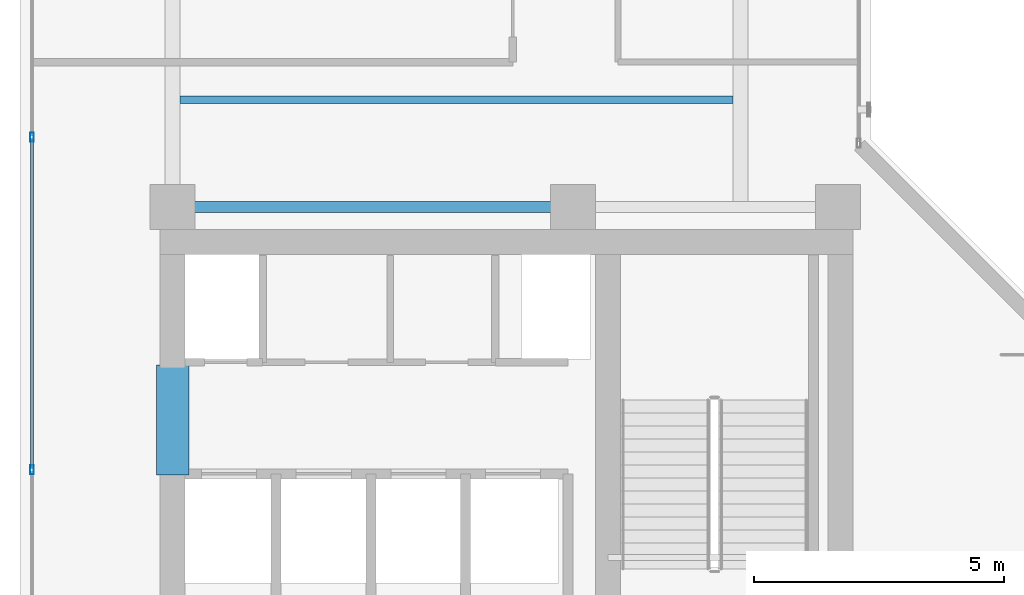
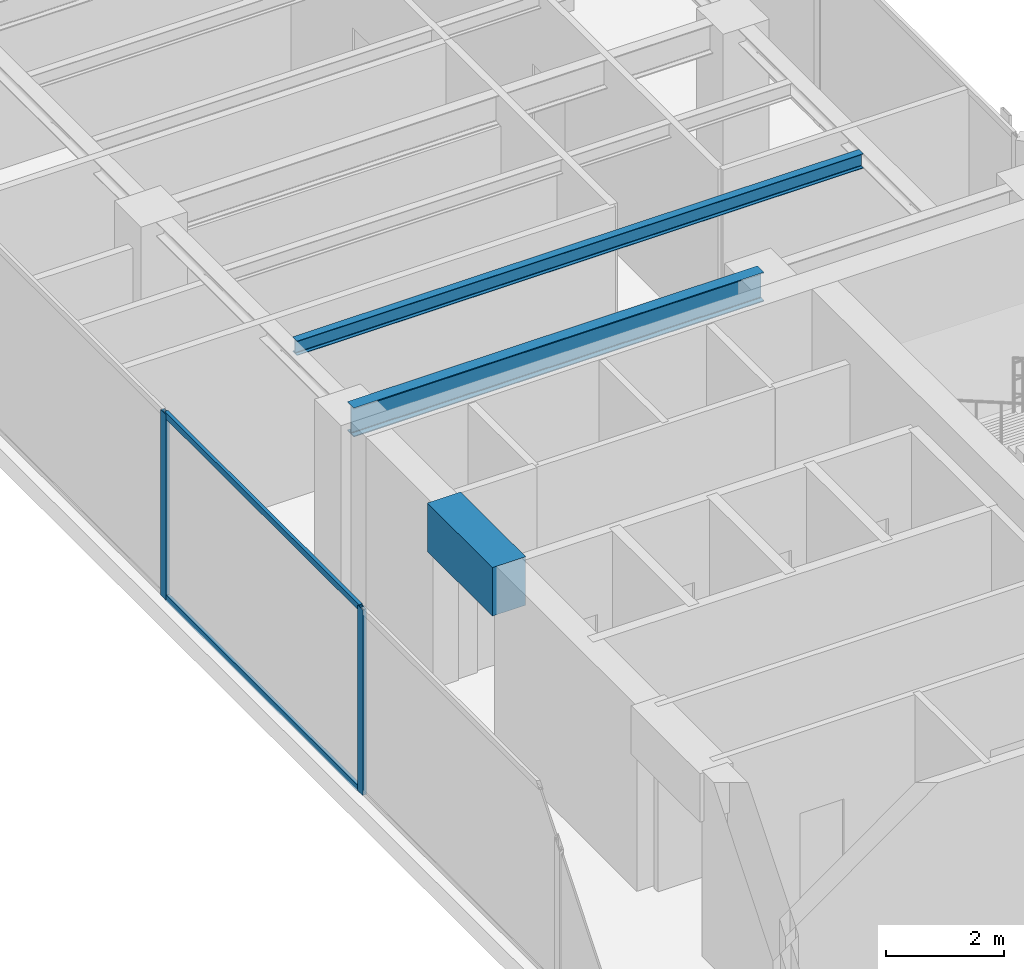
# One storey, part 9 of 32: 4 members, 3 beams, 1 element without a shape of its own.
"""IFC4 building model written with IfcOpenShell, lengths in metres."""

from ifc_helpers import new_model, si_unit, direction, frame, origin, origin_with_axes, origin_2d, place, context, subcontext, project, spatial, rectangle, hollow_rectangle, i_section, extrude, source, transform, mapped, material, layer, layer_set, material_profile, profile_set, type_object, element, aggregate, save


model = new_model("IFC4")

# Units and contexts
model_context = context("Model", 3, precision=1e-05, world=origin(), true_north=direction((0.0, 1.0)))
body_context = subcontext(model_context, "Body", "Model", "MODEL_VIEW")
ifc_project = project(units=[si_unit("LENGTHUNIT", "METRE"), si_unit("AREAUNIT", "SQUARE_METRE"), si_unit("VOLUMEUNIT", "CUBIC_METRE"), si_unit("PLANEANGLEUNIT", "RADIAN"), si_unit("MASSUNIT", "GRAM", prefix="KILO")], contexts=[model_context])

# Site, building, storey
site_placement = place(None, origin())
site = spatial("IfcSite", under=ifc_project, at=site_placement, CompositionType="ELEMENT")
building_placement = place(site_placement, origin())
building = spatial("IfcBuilding", under=site, at=building_placement, Name="Kolvaren Waterfront Exchange", CompositionType="ELEMENT")
storey_placement = place(building_placement, frame((0.0, 0.0, 352.0)))
storey = spatial("IfcBuildingStorey", under=building, at=storey_placement, Name="L90", CompositionType="ELEMENT", Elevation=352.0)

# Beams
ifc_material_1 = material(Name="Steel S355", Category="steel")
ifc_material_profile_1 = material_profile(ifc_material_1, i_section(OverallWidth=0.14990234375, OverallDepth=0.300048828125, WebThickness=0.007080078125, FlangeThickness=0.0107421875, FilletRadius=0.014892578125, at=origin_2d()), Name="IPE300")
ifc_profile_set_1 = profile_set([ifc_material_profile_1], Name="Steel S355")
beam_type_1 = type_object("IfcBeamType", Name="STR-BM-IPE300", PredefinedType="JOIST", material=ifc_profile_set_1)
beam_1_placement = place(storey_placement, frame((7.60205078125, 26.60009765625, 3.669921875), z_axis=(1.0, 0.0, 0.0), x_axis=(0.0, 1.0, 0.0)))
element("IfcBeam", 1, at=beam_1_placement, inside=storey, type_object=beam_type_1, Name="L90 north-arm composite joist 1", PredefinedType="JOIST", context=body_context, shape_type="SweptSolid", body=[
    extrude(i_section(OverallWidth=0.14990234375, OverallDepth=0.300048828125, WebThickness=0.007080078125, FlangeThickness=0.0107421875, FilletRadius=0.014892578125, at=origin_2d()), origin(), (0.0, 0.0, 1.0), 11.0458984375),
])
ifc_material_profile_2 = material_profile(ifc_material_1, i_section(OverallWidth=0.219970703125, OverallDepth=0.60009765625, WebThickness=0.011962890625, FlangeThickness=0.01904296875, FilletRadius=0.02392578125, at=origin_2d()), Name="IPE600")
ifc_profile_set_2 = profile_set([ifc_material_profile_2], Name="Steel S355")
beam_type_2 = type_object("IfcBeamType", Name="STR-BM-IPE600", PredefinedType="BEAM", material=ifc_profile_set_2)
beam_2_placement = place(storey_placement, frame((7.449951171875, 24.449951171875, 3.52001953125), z_axis=(1.0, 0.0, 0.0), x_axis=(0.0, 1.0, 0.0)))
element("IfcBeam", 2, at=beam_2_placement, inside=storey, type_object=beam_type_2, Name="L90 north-arm girder 1A", PredefinedType="BEAM", context=body_context, shape_type="SweptSolid", body=[
    extrude(i_section(OverallWidth=0.219970703125, OverallDepth=0.60009765625, WebThickness=0.011962890625, FlangeThickness=0.01904296875, FilletRadius=0.02392578125, at=origin_2d()), origin(), (0.0, 0.0, 1.0), 8.0),
])
ifc_material_2 = material(Name="Concrete C60/75", Category="concrete")
ifc_material_profile_3 = material_profile(ifc_material_2, rectangle(XDim=0.64990234375, YDim=1.0, at=origin_2d()), Name="RC-CB-1000x650")
ifc_profile_set_3 = profile_set([ifc_material_profile_3], Name="Concrete C60/75")
beam_type_3 = type_object("IfcBeamType", Name="STR-CB-1000", PredefinedType="SPANDREL", material=ifc_profile_set_3)
beam_3_placement = place(storey_placement, frame((7.449951171875, 19.10009765625, 3.320068359375), z_axis=(0.0, 1.0, 0.0), x_axis=(-1.0, 0.0, 0.0)))
element("IfcBeam", 3, at=beam_3_placement, inside=storey, type_object=beam_type_3, Name="L90 core coupling beam 5", PredefinedType="SPANDREL", context=body_context, shape_type="SweptSolid", body=[
    extrude(rectangle(XDim=0.64990234375, YDim=1.0, at=origin_2d()), origin(), (0.0, 0.0, 1.0), 2.199951171875),
])

# Curtain wall, members
ifc_material_3 = material(Name="Anodised bronze aluminium 6063-T6", Category="aluminium")
ifc_layer = layer(ifc_material_3, 0.219970703125, Name="Anodised bronze aluminium 6063-T6")
ifc_layer_set = layer_set([ifc_layer], Name="Anodised bronze aluminium 6063-T6")
curtain_wall_type = type_object("IfcCurtainWallType", Name="ARC-CW-SYS5", PredefinedType="USERDEFINED", material=ifc_layer_set)
curtain_wall_placement = place(storey_placement, origin())
curtain_wall = element("IfcCurtainWall", 4, at=curtain_wall_placement, inside=storey, type_object=curtain_wall_type, Name="L90 stick curtain wall CW5 (CW-L90-W)", ObjectType="STICK CURTAIN WALL", PredefinedType="USERDEFINED")
ifc_material_profile_4 = material_profile(ifc_material_3, hollow_rectangle(XDim=0.06494140625, YDim=0.1298828125, WallThickness=0.00390625, at=origin_2d()), Name="ALU-TRN-130x65x4")
ifc_profile_set_4 = profile_set([ifc_material_profile_4], Name="Anodised bronze aluminium 6063-T6")
member_type_1 = type_object("IfcMemberType", Name="ARC-CWT-130", PredefinedType="USERDEFINED", material=ifc_profile_set_4)
shared_shape_1 = source(origin_with_axes(), body_context, "Body", "SweptSolid", [
    extrude(hollow_rectangle(XDim=0.06494140625, YDim=0.1298828125, WallThickness=0.00390625, at=origin_2d()), origin(), (0.0, 0.0, 1.0), 6.574951171875),
])
member_1_placement = place(storey_placement, frame((4.639892578125, 19.237548828125, 0.032470703125), z_axis=(0.0, 1.0, 0.0), x_axis=(-1.0, 0.0, 0.0)))
member_1 = element("IfcMember", 5, at=member_1_placement, type_object=member_type_1, Name="CW5 transom 3.1", ObjectType="TRANSOM", PredefinedType="USERDEFINED", context=body_context, shape_type="MappedRepresentation", body=[
    mapped(shared_shape_1, transform((0.0, 0.0, 0.0), x_axis=(1.0, 0.0, 0.0), y_axis=(0.0, 1.0, 0.0), z_axis=(0.0, 0.0, 1.0), scale=1.0)),
])
member_2_placement = place(storey_placement, frame((4.639892578125, 19.237548828125, 3.78759765625), z_axis=(0.0, 1.0, 0.0), x_axis=(-1.0, 0.0, 0.0)))
member_2 = element("IfcMember", 6, at=member_2_placement, type_object=member_type_1, Name="CW5 transom 3.2", ObjectType="TRANSOM", PredefinedType="USERDEFINED", context=body_context, shape_type="MappedRepresentation", body=[
    mapped(shared_shape_1, transform((0.0, 0.0, 0.0), x_axis=(1.0, 0.0, 0.0), y_axis=(0.0, 1.0, 0.0), z_axis=(0.0, 0.0, 1.0), scale=1.0)),
])
ifc_material_profile_5 = material_profile(ifc_material_3, hollow_rectangle(XDim=0.074951171875, YDim=0.179931640625, WallThickness=0.00439453125, at=origin_2d()), Name="ALU-MUL-180x75x4.5")
ifc_profile_set_5 = profile_set([ifc_material_profile_5], Name="Anodised bronze aluminium 6063-T6")
member_type_2 = type_object("IfcMemberType", Name="ARC-CWM-180", PredefinedType="MULLION", material=ifc_profile_set_5)
shared_shape_2 = source(origin_with_axes(), body_context, "Body", "SweptSolid", [
    extrude(hollow_rectangle(XDim=0.074951171875, YDim=0.179931640625, WallThickness=0.00439453125, at=origin_2d()), origin(), (0.0, 0.0, 1.0), 3.820068359375),
])
member_3_placement = place(storey_placement, frame((4.639892578125, 19.199951171875, 0.0), z_axis=(0.0, 0.0, 1.0), x_axis=(-1.0, 0.0, 0.0)))
member_3 = element("IfcMember", 7, at=member_3_placement, type_object=member_type_2, Name="CW5 mullion 3", PredefinedType="MULLION", context=body_context, shape_type="MappedRepresentation", body=[
    mapped(shared_shape_2, transform((0.0, 0.0, 0.0), x_axis=(1.0, 0.0, 0.0), y_axis=(0.0, 1.0, 0.0), z_axis=(0.0, 0.0, 1.0), scale=1.0)),
])
member_4_placement = place(storey_placement, frame((4.639892578125, 25.85009765625, 0.0), z_axis=(0.0, 0.0, 1.0), x_axis=(-1.0, 0.0, 0.0)))
member_4 = element("IfcMember", 8, at=member_4_placement, type_object=member_type_2, Name="CW5 mullion 4", PredefinedType="MULLION", context=body_context, shape_type="MappedRepresentation", body=[
    mapped(shared_shape_2, transform((0.0, 0.0, 0.0), x_axis=(1.0, 0.0, 0.0), y_axis=(0.0, 1.0, 0.0), z_axis=(0.0, 0.0, 1.0), scale=1.0)),
])
aggregate(curtain_wall, [member_3, member_4, member_1, member_2])

save(model, "model.ifc")
